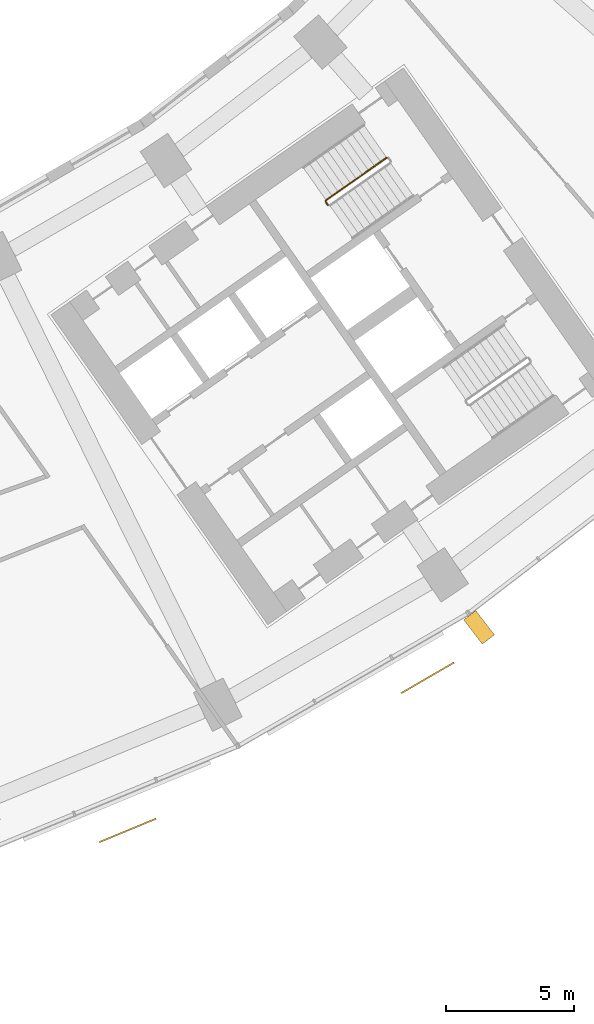
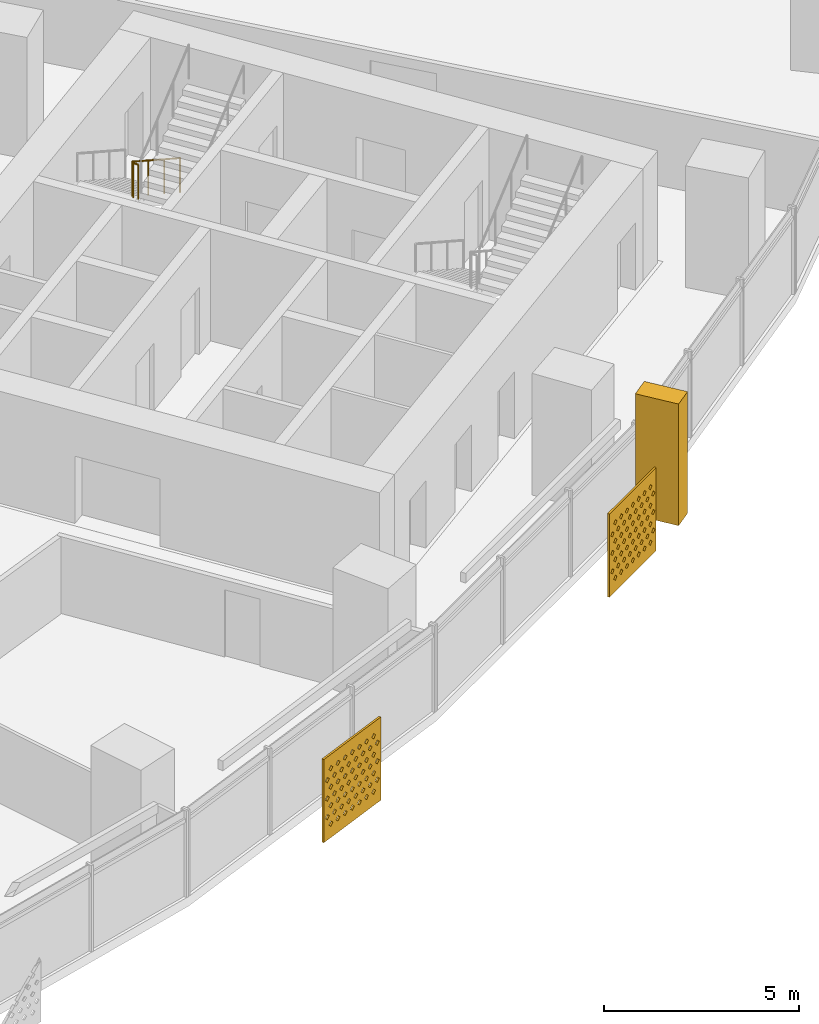
# One storey, part 30 of 31: 3 shading devices, 1 railing.
"""IFC4 building model written with IfcOpenShell, lengths in metres."""

import ifcopenshell
import ifcopenshell.guid

model = None  # the IFC model being written
_history = None  # IfcOwnerHistory: only IFC2X3 demands one
_inside = {}  # id of a spatial element -> (the spatial element, [elements in it])
_under = {}  # id of a project, library or spatial element -> (it, [spatial elements below it])
_declared = {}  # id of a project -> (the project, [libraries it declares])
_typed = {}  # id of a type object -> (the type object, [elements of that type])
_made_of = {}  # id of a material, layer set ... -> (it, [elements and type objects made of it])


def new_model(schema):
    """Start an empty IFC model of exactly this schema.

    Asked for "IFC4X3", IfcOpenShell would pick the latest addendum, in which some entities
    have other attributes; the version numbers below select the first issue.
    IFC2X3 requires an IfcOwnerHistory on every rooted entity: one is made here for all.
    """
    global model, _history
    if schema == "IFC4X3":
        model = ifcopenshell.file(schema_version=(4, 3, 0, 0))
    else:
        model = ifcopenshell.file(schema=schema)
    _inside.clear()
    _under.clear()
    _declared.clear()
    _typed.clear()
    _made_of.clear()
    _history = None
    if model.schema == "IFC2X3":
        org = make("IfcOrganization", Name="unknown")
        user = make(
            "IfcPersonAndOrganization",
            ThePerson=make("IfcPerson", FamilyName="unknown"),
            TheOrganization=org,
        )
        app = make(
            "IfcApplication",
            ApplicationDeveloper=org,
            Version="unknown",
            ApplicationFullName="unknown",
            ApplicationIdentifier="unknown",
        )
        _history = make(
            "IfcOwnerHistory",
            OwningUser=user,
            OwningApplication=app,
            ChangeAction="ADDED",
            CreationDate=0,
        )
    return model


def make(cls, **values):
    """One entity of the class cls with the attributes given. An attribute that is None is left unset."""
    return model.create_entity(
        cls, **{name: value for name, value in values.items() if value is not None}
    )


def rooted(cls, **values):
    """An entity with a GlobalId (a new one), such as an element, a storey or a relation."""
    return make(cls, GlobalId=ifcopenshell.guid.new(), OwnerHistory=_history, **values)


def si_unit(unit_type, name, prefix=None):
    """IfcSIUnit, for example si_unit("LENGTHUNIT", "METRE", prefix="MILLI")."""
    return make("IfcSIUnit", UnitType=unit_type, Prefix=prefix, Name=name)


def assignment(units):
    """IfcUnitAssignment: the units of a project."""
    return None if units is None else make("IfcUnitAssignment", Units=units)


def point(xyz):
    """IfcCartesianPoint."""
    return None if xyz is None else make("IfcCartesianPoint", Coordinates=xyz)


def direction(xyz):
    """IfcDirection."""
    return None if xyz is None else make("IfcDirection", DirectionRatios=xyz)


def frame(location, z_axis=None, x_axis=None):
    """IfcAxis2Placement3D, a coordinate frame: its origin and axes. An axis left out is left unset."""
    return make(
        "IfcAxis2Placement3D",
        Location=point(location),
        Axis=direction(z_axis),
        RefDirection=direction(x_axis),
    )


def frame_2d(location, x_axis=None):
    """IfcAxis2Placement2D, a coordinate frame in the plane: its origin and x axis."""
    return make(
        "IfcAxis2Placement2D", Location=point(location), RefDirection=direction(x_axis)
    )


def origin():
    """The frame at (0, 0, 0) with its axes left unset."""
    return frame((0.0, 0.0, 0.0))


def origin_2d():
    """The frame at (0, 0) in the plane with its x axis left unset."""
    return frame_2d((0.0, 0.0))


def place(relative_to, where):
    """IfcLocalPlacement: puts the frame where relative to a parent placement (None: the world)."""
    return make(
        "IfcLocalPlacement", PlacementRelTo=relative_to, RelativePlacement=where
    )


def context(
    kind, dimensions, precision=None, world=None, true_north=None, identifier=None
):
    """IfcGeometricRepresentationContext, for example the 3D "Model" context."""
    return make(
        "IfcGeometricRepresentationContext",
        ContextIdentifier=identifier,
        ContextType=kind,
        CoordinateSpaceDimension=dimensions,
        Precision=precision,
        WorldCoordinateSystem=world,
        TrueNorth=true_north,
    )


def subcontext(parent, identifier, kind, view, scale=None):
    """IfcGeometricRepresentationSubContext, for example "Body" below "Model"."""
    return make(
        "IfcGeometricRepresentationSubContext",
        ContextIdentifier=identifier,
        ContextType=kind,
        ParentContext=parent,
        TargetScale=scale,
        TargetView=view,
    )


def project(units=None, contexts=None):
    """IfcProject with its units and contexts."""
    return rooted(
        "IfcProject",
        Name="project",
        RepresentationContexts=contexts,
        UnitsInContext=assignment(units),
    )


def spatial(cls, under=None, at=None, **own):
    """A site, building, storey or space (cls), placed at a placement, below another one or the project."""
    s = rooted(cls, ObjectPlacement=at, **own)
    if under is not None:
        _under.setdefault(under.id(), (under, []))[1].append(s)
    return s


def polyline(points):
    """IfcPolyline through the points."""
    return make("IfcPolyline", Points=[point(p) for p in points])


def profile(cls, at=None, kind="AREA", **sizes):
    """A parametric profile (cls). Its sizes go by their IFC names, for example OverallWidth=200.0."""
    return make(cls, ProfileType=kind, Position=at, **sizes)


def circle(**sizes):
    """IfcCircleProfileDef."""
    return profile("IfcCircleProfileDef", **sizes)


def outline(outer, holes=None, kind="AREA"):
    """IfcArbitraryClosedProfileDef: a profile drawn as a closed curve; with holes, ...WithVoids."""
    if holes is None:
        return make("IfcArbitraryClosedProfileDef", ProfileType=kind, OuterCurve=outer)
    return make(
        "IfcArbitraryProfileDefWithVoids",
        ProfileType=kind,
        OuterCurve=outer,
        InnerCurves=holes,
    )


def extrude(swept, where, along, depth):
    """IfcExtrudedAreaSolid: the profile swept, set in the frame where, extruded along a direction by depth."""
    return make(
        "IfcExtrudedAreaSolid",
        SweptArea=swept,
        Position=where,
        ExtrudedDirection=direction(along),
        Depth=depth,
    )


def shape(context_of_items, identifier, shape_type, items):
    """IfcShapeRepresentation: the items that make up one representation, for example the "Body"."""
    return make(
        "IfcShapeRepresentation",
        ContextOfItems=context_of_items,
        RepresentationIdentifier=identifier,
        RepresentationType=shape_type,
        Items=items,
    )


def material(Name=None, Category=None):
    """IfcMaterial."""
    return make("IfcMaterial", Name=Name, Category=Category)


def material_profile(
    of_material, cross_section, Name=None, Category=None, Priority=None
):
    """IfcMaterialProfile: a cross section and its material."""
    return make(
        "IfcMaterialProfile",
        Name=Name,
        Material=of_material,
        Profile=cross_section,
        Priority=Priority,
        Category=Category,
    )


def profile_set(profiles, Name=None, composite=None):
    """IfcMaterialProfileSet."""
    return make(
        "IfcMaterialProfileSet",
        Name=Name,
        MaterialProfiles=profiles,
        CompositeProfile=composite,
    )


def made_of(thing, what):
    """Note that an element or type object is made of a material, layer set ...; save() writes the relation."""
    if what is not None:
        _made_of.setdefault(what.id(), (what, []))[1].append(thing)
    return thing


def type_object(cls, material=None, **own):
    """A type object (cls), such as IfcWallType, which elements share."""
    return made_of(rooted(cls, **own), material)


def element(
    cls,
    number,
    at=None,
    inside=None,
    cuts=None,
    type_object=None,
    material=None,
    context=None,
    identifier="Body",
    shape_type=None,
    held_by="IfcProductDefinitionShape",
    body=None,
    shapes=None,
    **own,
):
    """One element of the class cls, such as IfcWall. Its Tag is "e" and its number.

    at: its placement. inside: the storey or other place that contains it. cuts: it is an
    opening in that element (IfcRelVoidsElement). A single representation is given by context,
    identifier, shape_type and body (its items); several are given by shapes. held_by: the class
    of the entity that holds the representations. save() writes the other relations.
    """
    e = rooted(cls, Tag="e%d" % number, ObjectPlacement=at, **own)
    if body is not None:
        shapes = [shape(context, identifier, shape_type, body)]
    if shapes is not None:
        e.Representation = make(held_by, Representations=shapes)
    if inside is not None:
        _inside.setdefault(inside.id(), (inside, []))[1].append(e)
    if cuts is not None:
        rooted(
            "IfcRelVoidsElement", RelatingBuildingElement=cuts, RelatedOpeningElement=e
        )
    if type_object is not None:
        _typed.setdefault(type_object.id(), (type_object, []))[1].append(e)
    return made_of(e, material)


def aggregate(whole, parts):
    """IfcRelAggregates: a whole, such as a stair, and the parts it consists of."""
    return rooted("IfcRelAggregates", RelatingObject=whole, RelatedObjects=parts)


def save(model, path):
    """Write the relations noted so far, then the file.

    IfcRelAggregates (storeys below a building ...), IfcRelContainedInSpatialStructure (elements
    in a storey), IfcRelDefinesByType, IfcRelAssociatesMaterial and IfcRelDeclares: one each for
    every whole, place, type object, material and project.
    """
    for whole, parts in _under.values():
        aggregate(whole, parts)
    for where, things in _inside.values():
        rooted(
            "IfcRelContainedInSpatialStructure",
            RelatedElements=things,
            RelatingStructure=where,
        )
    for kind, things in _typed.values():
        rooted("IfcRelDefinesByType", RelatedObjects=things, RelatingType=kind)
    for what, things in _made_of.values():
        rooted("IfcRelAssociatesMaterial", RelatedObjects=things, RelatingMaterial=what)
    for by, libraries in _declared.values():
        rooted("IfcRelDeclares", RelatingContext=by, RelatedDefinitions=libraries)
    model.write(path)


model = new_model("IFC4")

# Units and contexts
model_context = context("Model", 3, precision=1e-05, world=origin(), true_north=direction((0.0, 1.0)))
body_context = subcontext(model_context, "Body", "Model", "MODEL_VIEW")
ifc_project = project(units=[si_unit("LENGTHUNIT", "METRE"), si_unit("AREAUNIT", "SQUARE_METRE"), si_unit("VOLUMEUNIT", "CUBIC_METRE"), si_unit("PLANEANGLEUNIT", "RADIAN"), si_unit("MASSUNIT", "GRAM", prefix="KILO")], contexts=[model_context])

# Site, building, storey
site_placement = place(None, origin())
site = spatial("IfcSite", under=ifc_project, at=site_placement, CompositionType="ELEMENT")
building_placement = place(site_placement, origin())
building = spatial("IfcBuilding", under=site, at=building_placement, Name="Qamariyya Broadcast Tower", CompositionType="ELEMENT")
storey_placement = place(building_placement, frame((0.0, 0.0, 59.5)))
storey = spatial("IfcBuildingStorey", under=building, at=storey_placement, Name="L11", CompositionType="ELEMENT", Elevation=59.5)

# Shading devices
ifc_material_1 = material(Name="Steel S355 powder coated deep red", Category="steel")
shading_device_type_1 = type_object("IfcShadingDeviceType", Name="Deep red frame, powder coated steel box section", PredefinedType="USERDEFINED", material=ifc_material_1)
shading_device_1_placement = place(storey_placement, origin())
element("IfcShadingDevice", 1, at=shading_device_1_placement, inside=storey, type_object=shading_device_type_1, Name="e-frm-B1-F5-posta-L11", ObjectType="FRAME", PredefinedType="USERDEFINED", context=body_context, shape_type="SweptSolid", body=[
    extrude(outline(polyline([(44.01318359375, -66.4091796875), (44.74365234375, -67.361328125), (45.2197265625, -66.995849609375), (44.4892578125, -66.0439453125), (44.01318359375, -66.4091796875)])), origin(), (0.0, 0.0, 1.0), 3.800048828125),
])
ifc_material_2 = material(Name="Perforated glazed terracotta", Category="masonry")
ifc_material_profile = material_profile(ifc_material_2, outline(polyline([(-1.199951171875, -1.300048828125), (1.199951171875, -1.300048828125), (1.199951171875, 1.300048828125), (-1.199951171875, 1.300048828125), (-1.199951171875, -1.300048828125)]), holes=[polyline([(-0.81494140625, -0.86669921875), (-0.89990234375, -0.78173828125), (-0.985107421875, -0.86669921875), (-0.89990234375, -0.95166015625), (-0.81494140625, -0.86669921875)]), polyline([(-0.514892578125, -0.86669921875), (-0.60009765625, -0.78173828125), (-0.68505859375, -0.86669921875), (-0.60009765625, -0.95166015625), (-0.514892578125, -0.86669921875)]), polyline([(-0.215087890625, -0.86669921875), (-0.300048828125, -0.78173828125), (-0.385009765625, -0.86669921875), (-0.300048828125, -0.95166015625), (-0.215087890625, -0.86669921875)]), polyline([(0.0849609375, -0.86669921875), (0.0, -0.78173828125), (-0.0849609375, -0.86669921875), (0.0, -0.95166015625), (0.0849609375, -0.86669921875)]), polyline([(0.385009765625, -0.86669921875), (0.300048828125, -0.78173828125), (0.215087890625, -0.86669921875), (0.300048828125, -0.95166015625), (0.385009765625, -0.86669921875)]), polyline([(0.68505859375, -0.86669921875), (0.60009765625, -0.78173828125), (0.514892578125, -0.86669921875), (0.60009765625, -0.95166015625), (0.68505859375, -0.86669921875)]), polyline([(0.985107421875, -0.86669921875), (0.89990234375, -0.78173828125), (0.81494140625, -0.86669921875), (0.89990234375, -0.95166015625), (0.985107421875, -0.86669921875)]), polyline([(-0.965087890625, -0.577880859375), (-1.050048828125, -0.49267578125), (-1.135009765625, -0.577880859375), (-1.050048828125, -0.662841796875), (-0.965087890625, -0.577880859375)]), polyline([(-0.6650390625, -0.577880859375), (-0.75, -0.49267578125), (-0.8349609375, -0.577880859375), (-0.75, -0.662841796875), (-0.6650390625, -0.577880859375)]), polyline([(-0.364990234375, -0.577880859375), (-0.449951171875, -0.49267578125), (-0.534912109375, -0.577880859375), (-0.449951171875, -0.662841796875), (-0.364990234375, -0.577880859375)]), polyline([(-0.06494140625, -0.577880859375), (-0.14990234375, -0.49267578125), (-0.235107421875, -0.577880859375), (-0.14990234375, -0.662841796875), (-0.06494140625, -0.577880859375)]), polyline([(0.235107421875, -0.577880859375), (0.14990234375, -0.49267578125), (0.06494140625, -0.577880859375), (0.14990234375, -0.662841796875), (0.235107421875, -0.577880859375)]), polyline([(0.534912109375, -0.577880859375), (0.449951171875, -0.49267578125), (0.364990234375, -0.577880859375), (0.449951171875, -0.662841796875), (0.534912109375, -0.577880859375)]), polyline([(0.8349609375, -0.577880859375), (0.75, -0.49267578125), (0.6650390625, -0.577880859375), (0.75, -0.662841796875), (0.8349609375, -0.577880859375)]), polyline([(1.135009765625, -0.577880859375), (1.050048828125, -0.49267578125), (0.965087890625, -0.577880859375), (1.050048828125, -0.662841796875), (1.135009765625, -0.577880859375)]), polyline([(-0.81494140625, -0.288818359375), (-0.89990234375, -0.203857421875), (-0.985107421875, -0.288818359375), (-0.89990234375, -0.373779296875), (-0.81494140625, -0.288818359375)]), polyline([(-0.514892578125, -0.288818359375), (-0.60009765625, -0.203857421875), (-0.68505859375, -0.288818359375), (-0.60009765625, -0.373779296875), (-0.514892578125, -0.288818359375)]), polyline([(-0.215087890625, -0.288818359375), (-0.300048828125, -0.203857421875), (-0.385009765625, -0.288818359375), (-0.300048828125, -0.373779296875), (-0.215087890625, -0.288818359375)]), polyline([(0.0849609375, -0.288818359375), (0.0, -0.203857421875), (-0.0849609375, -0.288818359375), (0.0, -0.373779296875), (0.0849609375, -0.288818359375)]), polyline([(0.385009765625, -0.288818359375), (0.300048828125, -0.203857421875), (0.215087890625, -0.288818359375), (0.300048828125, -0.373779296875), (0.385009765625, -0.288818359375)]), polyline([(0.68505859375, -0.288818359375), (0.60009765625, -0.203857421875), (0.514892578125, -0.288818359375), (0.60009765625, -0.373779296875), (0.68505859375, -0.288818359375)]), polyline([(0.985107421875, -0.288818359375), (0.89990234375, -0.203857421875), (0.81494140625, -0.288818359375), (0.89990234375, -0.373779296875), (0.985107421875, -0.288818359375)]), polyline([(-0.965087890625, 0.0), (-1.050048828125, 0.0849609375), (-1.135009765625, 0.0), (-1.050048828125, -0.0849609375), (-0.965087890625, 0.0)]), polyline([(-0.6650390625, 0.0), (-0.75, 0.0849609375), (-0.8349609375, 0.0), (-0.75, -0.0849609375), (-0.6650390625, 0.0)]), polyline([(-0.364990234375, 0.0), (-0.449951171875, 0.0849609375), (-0.534912109375, 0.0), (-0.449951171875, -0.0849609375), (-0.364990234375, 0.0)]), polyline([(-0.06494140625, 0.0), (-0.14990234375, 0.0849609375), (-0.235107421875, 0.0), (-0.14990234375, -0.0849609375), (-0.06494140625, 0.0)]), polyline([(0.235107421875, 0.0), (0.14990234375, 0.0849609375), (0.06494140625, 0.0), (0.14990234375, -0.0849609375), (0.235107421875, 0.0)]), polyline([(0.534912109375, 0.0), (0.449951171875, 0.0849609375), (0.364990234375, 0.0), (0.449951171875, -0.0849609375), (0.534912109375, 0.0)]), polyline([(0.8349609375, 0.0), (0.75, 0.0849609375), (0.6650390625, 0.0), (0.75, -0.0849609375), (0.8349609375, 0.0)]), polyline([(1.135009765625, 0.0), (1.050048828125, 0.0849609375), (0.965087890625, 0.0), (1.050048828125, -0.0849609375), (1.135009765625, 0.0)]), polyline([(-0.81494140625, 0.288818359375), (-0.89990234375, 0.373779296875), (-0.985107421875, 0.288818359375), (-0.89990234375, 0.203857421875), (-0.81494140625, 0.288818359375)]), polyline([(-0.514892578125, 0.288818359375), (-0.60009765625, 0.373779296875), (-0.68505859375, 0.288818359375), (-0.60009765625, 0.203857421875), (-0.514892578125, 0.288818359375)]), polyline([(-0.215087890625, 0.288818359375), (-0.300048828125, 0.373779296875), (-0.385009765625, 0.288818359375), (-0.300048828125, 0.203857421875), (-0.215087890625, 0.288818359375)]), polyline([(0.0849609375, 0.288818359375), (0.0, 0.373779296875), (-0.0849609375, 0.288818359375), (0.0, 0.203857421875), (0.0849609375, 0.288818359375)]), polyline([(0.385009765625, 0.288818359375), (0.300048828125, 0.373779296875), (0.215087890625, 0.288818359375), (0.300048828125, 0.203857421875), (0.385009765625, 0.288818359375)]), polyline([(0.68505859375, 0.288818359375), (0.60009765625, 0.373779296875), (0.514892578125, 0.288818359375), (0.60009765625, 0.203857421875), (0.68505859375, 0.288818359375)]), polyline([(0.985107421875, 0.288818359375), (0.89990234375, 0.373779296875), (0.81494140625, 0.288818359375), (0.89990234375, 0.203857421875), (0.985107421875, 0.288818359375)]), polyline([(-0.965087890625, 0.577880859375), (-1.050048828125, 0.662841796875), (-1.135009765625, 0.577880859375), (-1.050048828125, 0.49267578125), (-0.965087890625, 0.577880859375)]), polyline([(-0.6650390625, 0.577880859375), (-0.75, 0.662841796875), (-0.8349609375, 0.577880859375), (-0.75, 0.49267578125), (-0.6650390625, 0.577880859375)]), polyline([(-0.364990234375, 0.577880859375), (-0.449951171875, 0.662841796875), (-0.534912109375, 0.577880859375), (-0.449951171875, 0.49267578125), (-0.364990234375, 0.577880859375)]), polyline([(-0.06494140625, 0.577880859375), (-0.14990234375, 0.662841796875), (-0.235107421875, 0.577880859375), (-0.14990234375, 0.49267578125), (-0.06494140625, 0.577880859375)]), polyline([(0.235107421875, 0.577880859375), (0.14990234375, 0.662841796875), (0.06494140625, 0.577880859375), (0.14990234375, 0.49267578125), (0.235107421875, 0.577880859375)]), polyline([(0.534912109375, 0.577880859375), (0.449951171875, 0.662841796875), (0.364990234375, 0.577880859375), (0.449951171875, 0.49267578125), (0.534912109375, 0.577880859375)]), polyline([(0.8349609375, 0.577880859375), (0.75, 0.662841796875), (0.6650390625, 0.577880859375), (0.75, 0.49267578125), (0.8349609375, 0.577880859375)]), polyline([(1.135009765625, 0.577880859375), (1.050048828125, 0.662841796875), (0.965087890625, 0.577880859375), (1.050048828125, 0.49267578125), (1.135009765625, 0.577880859375)]), polyline([(-0.81494140625, 0.86669921875), (-0.89990234375, 0.95166015625), (-0.985107421875, 0.86669921875), (-0.89990234375, 0.78173828125), (-0.81494140625, 0.86669921875)]), polyline([(-0.514892578125, 0.86669921875), (-0.60009765625, 0.95166015625), (-0.68505859375, 0.86669921875), (-0.60009765625, 0.78173828125), (-0.514892578125, 0.86669921875)]), polyline([(-0.215087890625, 0.86669921875), (-0.300048828125, 0.95166015625), (-0.385009765625, 0.86669921875), (-0.300048828125, 0.78173828125), (-0.215087890625, 0.86669921875)]), polyline([(0.0849609375, 0.86669921875), (0.0, 0.95166015625), (-0.0849609375, 0.86669921875), (0.0, 0.78173828125), (0.0849609375, 0.86669921875)]), polyline([(0.385009765625, 0.86669921875), (0.300048828125, 0.95166015625), (0.215087890625, 0.86669921875), (0.300048828125, 0.78173828125), (0.385009765625, 0.86669921875)]), polyline([(0.68505859375, 0.86669921875), (0.60009765625, 0.95166015625), (0.514892578125, 0.86669921875), (0.60009765625, 0.78173828125), (0.68505859375, 0.86669921875)]), polyline([(0.985107421875, 0.86669921875), (0.89990234375, 0.95166015625), (0.81494140625, 0.86669921875), (0.89990234375, 0.78173828125), (0.985107421875, 0.86669921875)])]))
ifc_profile_set = profile_set([ifc_material_profile], Name="Perforated glazed terracotta")
shading_device_type_2 = type_object("IfcShadingDeviceType", Name="Perforated terracotta screen 2400 x 2600", PredefinedType="USERDEFINED", material=ifc_profile_set)
shading_device_2_placement = place(storey_placement, frame((30.85302734375, -74.622802734375, 1.35009765625), z_axis=(0.382591441855, -0.923917630863, 0.0), x_axis=(0.923917630863, 0.382591441855, 0.0)))
element("IfcShadingDevice", 2, at=shading_device_2_placement, inside=storey, type_object=shading_device_type_2, Name="e-scr-L11-11-1", ObjectType="SCREEN", PredefinedType="USERDEFINED", context=body_context, shape_type="SweptSolid", body=[
    extrude(outline(polyline([(-1.199951171875, -1.300048828125), (1.199951171875, -1.300048828125), (1.199951171875, 1.300048828125), (-1.199951171875, 1.300048828125), (-1.199951171875, -1.300048828125)]), holes=[polyline([(-0.81494140625, -0.86669921875), (-0.89990234375, -0.78173828125), (-0.985107421875, -0.86669921875), (-0.89990234375, -0.95166015625), (-0.81494140625, -0.86669921875)]), polyline([(-0.514892578125, -0.86669921875), (-0.60009765625, -0.78173828125), (-0.68505859375, -0.86669921875), (-0.60009765625, -0.95166015625), (-0.514892578125, -0.86669921875)]), polyline([(-0.215087890625, -0.86669921875), (-0.300048828125, -0.78173828125), (-0.385009765625, -0.86669921875), (-0.300048828125, -0.95166015625), (-0.215087890625, -0.86669921875)]), polyline([(0.0849609375, -0.86669921875), (0.0, -0.78173828125), (-0.0849609375, -0.86669921875), (0.0, -0.95166015625), (0.0849609375, -0.86669921875)]), polyline([(0.385009765625, -0.86669921875), (0.300048828125, -0.78173828125), (0.215087890625, -0.86669921875), (0.300048828125, -0.95166015625), (0.385009765625, -0.86669921875)]), polyline([(0.68505859375, -0.86669921875), (0.60009765625, -0.78173828125), (0.514892578125, -0.86669921875), (0.60009765625, -0.95166015625), (0.68505859375, -0.86669921875)]), polyline([(0.985107421875, -0.86669921875), (0.89990234375, -0.78173828125), (0.81494140625, -0.86669921875), (0.89990234375, -0.95166015625), (0.985107421875, -0.86669921875)]), polyline([(-0.965087890625, -0.577880859375), (-1.050048828125, -0.49267578125), (-1.135009765625, -0.577880859375), (-1.050048828125, -0.662841796875), (-0.965087890625, -0.577880859375)]), polyline([(-0.6650390625, -0.577880859375), (-0.75, -0.49267578125), (-0.8349609375, -0.577880859375), (-0.75, -0.662841796875), (-0.6650390625, -0.577880859375)]), polyline([(-0.364990234375, -0.577880859375), (-0.449951171875, -0.49267578125), (-0.534912109375, -0.577880859375), (-0.449951171875, -0.662841796875), (-0.364990234375, -0.577880859375)]), polyline([(-0.06494140625, -0.577880859375), (-0.14990234375, -0.49267578125), (-0.235107421875, -0.577880859375), (-0.14990234375, -0.662841796875), (-0.06494140625, -0.577880859375)]), polyline([(0.235107421875, -0.577880859375), (0.14990234375, -0.49267578125), (0.06494140625, -0.577880859375), (0.14990234375, -0.662841796875), (0.235107421875, -0.577880859375)]), polyline([(0.534912109375, -0.577880859375), (0.449951171875, -0.49267578125), (0.364990234375, -0.577880859375), (0.449951171875, -0.662841796875), (0.534912109375, -0.577880859375)]), polyline([(0.8349609375, -0.577880859375), (0.75, -0.49267578125), (0.6650390625, -0.577880859375), (0.75, -0.662841796875), (0.8349609375, -0.577880859375)]), polyline([(1.135009765625, -0.577880859375), (1.050048828125, -0.49267578125), (0.965087890625, -0.577880859375), (1.050048828125, -0.662841796875), (1.135009765625, -0.577880859375)]), polyline([(-0.81494140625, -0.288818359375), (-0.89990234375, -0.203857421875), (-0.985107421875, -0.288818359375), (-0.89990234375, -0.373779296875), (-0.81494140625, -0.288818359375)]), polyline([(-0.514892578125, -0.288818359375), (-0.60009765625, -0.203857421875), (-0.68505859375, -0.288818359375), (-0.60009765625, -0.373779296875), (-0.514892578125, -0.288818359375)]), polyline([(-0.215087890625, -0.288818359375), (-0.300048828125, -0.203857421875), (-0.385009765625, -0.288818359375), (-0.300048828125, -0.373779296875), (-0.215087890625, -0.288818359375)]), polyline([(0.0849609375, -0.288818359375), (0.0, -0.203857421875), (-0.0849609375, -0.288818359375), (0.0, -0.373779296875), (0.0849609375, -0.288818359375)]), polyline([(0.385009765625, -0.288818359375), (0.300048828125, -0.203857421875), (0.215087890625, -0.288818359375), (0.300048828125, -0.373779296875), (0.385009765625, -0.288818359375)]), polyline([(0.68505859375, -0.288818359375), (0.60009765625, -0.203857421875), (0.514892578125, -0.288818359375), (0.60009765625, -0.373779296875), (0.68505859375, -0.288818359375)]), polyline([(0.985107421875, -0.288818359375), (0.89990234375, -0.203857421875), (0.81494140625, -0.288818359375), (0.89990234375, -0.373779296875), (0.985107421875, -0.288818359375)]), polyline([(-0.965087890625, 0.0), (-1.050048828125, 0.0849609375), (-1.135009765625, 0.0), (-1.050048828125, -0.0849609375), (-0.965087890625, 0.0)]), polyline([(-0.6650390625, 0.0), (-0.75, 0.0849609375), (-0.8349609375, 0.0), (-0.75, -0.0849609375), (-0.6650390625, 0.0)]), polyline([(-0.364990234375, 0.0), (-0.449951171875, 0.0849609375), (-0.534912109375, 0.0), (-0.449951171875, -0.0849609375), (-0.364990234375, 0.0)]), polyline([(-0.06494140625, 0.0), (-0.14990234375, 0.0849609375), (-0.235107421875, 0.0), (-0.14990234375, -0.0849609375), (-0.06494140625, 0.0)]), polyline([(0.235107421875, 0.0), (0.14990234375, 0.0849609375), (0.06494140625, 0.0), (0.14990234375, -0.0849609375), (0.235107421875, 0.0)]), polyline([(0.534912109375, 0.0), (0.449951171875, 0.0849609375), (0.364990234375, 0.0), (0.449951171875, -0.0849609375), (0.534912109375, 0.0)]), polyline([(0.8349609375, 0.0), (0.75, 0.0849609375), (0.6650390625, 0.0), (0.75, -0.0849609375), (0.8349609375, 0.0)]), polyline([(1.135009765625, 0.0), (1.050048828125, 0.0849609375), (0.965087890625, 0.0), (1.050048828125, -0.0849609375), (1.135009765625, 0.0)]), polyline([(-0.81494140625, 0.288818359375), (-0.89990234375, 0.373779296875), (-0.985107421875, 0.288818359375), (-0.89990234375, 0.203857421875), (-0.81494140625, 0.288818359375)]), polyline([(-0.514892578125, 0.288818359375), (-0.60009765625, 0.373779296875), (-0.68505859375, 0.288818359375), (-0.60009765625, 0.203857421875), (-0.514892578125, 0.288818359375)]), polyline([(-0.215087890625, 0.288818359375), (-0.300048828125, 0.373779296875), (-0.385009765625, 0.288818359375), (-0.300048828125, 0.203857421875), (-0.215087890625, 0.288818359375)]), polyline([(0.0849609375, 0.288818359375), (0.0, 0.373779296875), (-0.0849609375, 0.288818359375), (0.0, 0.203857421875), (0.0849609375, 0.288818359375)]), polyline([(0.385009765625, 0.288818359375), (0.300048828125, 0.373779296875), (0.215087890625, 0.288818359375), (0.300048828125, 0.203857421875), (0.385009765625, 0.288818359375)]), polyline([(0.68505859375, 0.288818359375), (0.60009765625, 0.373779296875), (0.514892578125, 0.288818359375), (0.60009765625, 0.203857421875), (0.68505859375, 0.288818359375)]), polyline([(0.985107421875, 0.288818359375), (0.89990234375, 0.373779296875), (0.81494140625, 0.288818359375), (0.89990234375, 0.203857421875), (0.985107421875, 0.288818359375)]), polyline([(-0.965087890625, 0.577880859375), (-1.050048828125, 0.662841796875), (-1.135009765625, 0.577880859375), (-1.050048828125, 0.49267578125), (-0.965087890625, 0.577880859375)]), polyline([(-0.6650390625, 0.577880859375), (-0.75, 0.662841796875), (-0.8349609375, 0.577880859375), (-0.75, 0.49267578125), (-0.6650390625, 0.577880859375)]), polyline([(-0.364990234375, 0.577880859375), (-0.449951171875, 0.662841796875), (-0.534912109375, 0.577880859375), (-0.449951171875, 0.49267578125), (-0.364990234375, 0.577880859375)]), polyline([(-0.06494140625, 0.577880859375), (-0.14990234375, 0.662841796875), (-0.235107421875, 0.577880859375), (-0.14990234375, 0.49267578125), (-0.06494140625, 0.577880859375)]), polyline([(0.235107421875, 0.577880859375), (0.14990234375, 0.662841796875), (0.06494140625, 0.577880859375), (0.14990234375, 0.49267578125), (0.235107421875, 0.577880859375)]), polyline([(0.534912109375, 0.577880859375), (0.449951171875, 0.662841796875), (0.364990234375, 0.577880859375), (0.449951171875, 0.49267578125), (0.534912109375, 0.577880859375)]), polyline([(0.8349609375, 0.577880859375), (0.75, 0.662841796875), (0.6650390625, 0.577880859375), (0.75, 0.49267578125), (0.8349609375, 0.577880859375)]), polyline([(1.135009765625, 0.577880859375), (1.050048828125, 0.662841796875), (0.965087890625, 0.577880859375), (1.050048828125, 0.49267578125), (1.135009765625, 0.577880859375)]), polyline([(-0.81494140625, 0.86669921875), (-0.89990234375, 0.95166015625), (-0.985107421875, 0.86669921875), (-0.89990234375, 0.78173828125), (-0.81494140625, 0.86669921875)]), polyline([(-0.514892578125, 0.86669921875), (-0.60009765625, 0.95166015625), (-0.68505859375, 0.86669921875), (-0.60009765625, 0.78173828125), (-0.514892578125, 0.86669921875)]), polyline([(-0.215087890625, 0.86669921875), (-0.300048828125, 0.95166015625), (-0.385009765625, 0.86669921875), (-0.300048828125, 0.78173828125), (-0.215087890625, 0.86669921875)]), polyline([(0.0849609375, 0.86669921875), (0.0, 0.95166015625), (-0.0849609375, 0.86669921875), (0.0, 0.78173828125), (0.0849609375, 0.86669921875)]), polyline([(0.385009765625, 0.86669921875), (0.300048828125, 0.95166015625), (0.215087890625, 0.86669921875), (0.300048828125, 0.78173828125), (0.385009765625, 0.86669921875)]), polyline([(0.68505859375, 0.86669921875), (0.60009765625, 0.95166015625), (0.514892578125, 0.86669921875), (0.60009765625, 0.78173828125), (0.68505859375, 0.86669921875)]), polyline([(0.985107421875, 0.86669921875), (0.89990234375, 0.95166015625), (0.81494140625, 0.86669921875), (0.89990234375, 0.78173828125), (0.985107421875, 0.86669921875)])]), origin(), (0.0, 0.0, 1.0), 0.06005859375),
])
shading_device_3_placement = place(storey_placement, frame((42.585205078125, -68.655029296875, 1.35009765625), z_axis=(0.501840203948, -0.86496035152, 0.0), x_axis=(0.86496035152, 0.501840203948, 0.0)))
element("IfcShadingDevice", 3, at=shading_device_3_placement, inside=storey, type_object=shading_device_type_2, Name="e-scr-L11-12-2", ObjectType="SCREEN", PredefinedType="USERDEFINED", context=body_context, shape_type="SweptSolid", body=[
    extrude(outline(polyline([(-1.199951171875, -1.300048828125), (1.199951171875, -1.300048828125), (1.199951171875, 1.300048828125), (-1.199951171875, 1.300048828125), (-1.199951171875, -1.300048828125)]), holes=[polyline([(-0.81494140625, -0.86669921875), (-0.89990234375, -0.78173828125), (-0.985107421875, -0.86669921875), (-0.89990234375, -0.95166015625), (-0.81494140625, -0.86669921875)]), polyline([(-0.514892578125, -0.86669921875), (-0.60009765625, -0.78173828125), (-0.68505859375, -0.86669921875), (-0.60009765625, -0.95166015625), (-0.514892578125, -0.86669921875)]), polyline([(-0.215087890625, -0.86669921875), (-0.300048828125, -0.78173828125), (-0.385009765625, -0.86669921875), (-0.300048828125, -0.95166015625), (-0.215087890625, -0.86669921875)]), polyline([(0.0849609375, -0.86669921875), (0.0, -0.78173828125), (-0.0849609375, -0.86669921875), (0.0, -0.95166015625), (0.0849609375, -0.86669921875)]), polyline([(0.385009765625, -0.86669921875), (0.300048828125, -0.78173828125), (0.215087890625, -0.86669921875), (0.300048828125, -0.95166015625), (0.385009765625, -0.86669921875)]), polyline([(0.68505859375, -0.86669921875), (0.60009765625, -0.78173828125), (0.514892578125, -0.86669921875), (0.60009765625, -0.95166015625), (0.68505859375, -0.86669921875)]), polyline([(0.985107421875, -0.86669921875), (0.89990234375, -0.78173828125), (0.81494140625, -0.86669921875), (0.89990234375, -0.95166015625), (0.985107421875, -0.86669921875)]), polyline([(-0.965087890625, -0.577880859375), (-1.050048828125, -0.49267578125), (-1.135009765625, -0.577880859375), (-1.050048828125, -0.662841796875), (-0.965087890625, -0.577880859375)]), polyline([(-0.6650390625, -0.577880859375), (-0.75, -0.49267578125), (-0.8349609375, -0.577880859375), (-0.75, -0.662841796875), (-0.6650390625, -0.577880859375)]), polyline([(-0.364990234375, -0.577880859375), (-0.449951171875, -0.49267578125), (-0.534912109375, -0.577880859375), (-0.449951171875, -0.662841796875), (-0.364990234375, -0.577880859375)]), polyline([(-0.06494140625, -0.577880859375), (-0.14990234375, -0.49267578125), (-0.235107421875, -0.577880859375), (-0.14990234375, -0.662841796875), (-0.06494140625, -0.577880859375)]), polyline([(0.235107421875, -0.577880859375), (0.14990234375, -0.49267578125), (0.06494140625, -0.577880859375), (0.14990234375, -0.662841796875), (0.235107421875, -0.577880859375)]), polyline([(0.534912109375, -0.577880859375), (0.449951171875, -0.49267578125), (0.364990234375, -0.577880859375), (0.449951171875, -0.662841796875), (0.534912109375, -0.577880859375)]), polyline([(0.8349609375, -0.577880859375), (0.75, -0.49267578125), (0.6650390625, -0.577880859375), (0.75, -0.662841796875), (0.8349609375, -0.577880859375)]), polyline([(1.135009765625, -0.577880859375), (1.050048828125, -0.49267578125), (0.965087890625, -0.577880859375), (1.050048828125, -0.662841796875), (1.135009765625, -0.577880859375)]), polyline([(-0.81494140625, -0.288818359375), (-0.89990234375, -0.203857421875), (-0.985107421875, -0.288818359375), (-0.89990234375, -0.373779296875), (-0.81494140625, -0.288818359375)]), polyline([(-0.514892578125, -0.288818359375), (-0.60009765625, -0.203857421875), (-0.68505859375, -0.288818359375), (-0.60009765625, -0.373779296875), (-0.514892578125, -0.288818359375)]), polyline([(-0.215087890625, -0.288818359375), (-0.300048828125, -0.203857421875), (-0.385009765625, -0.288818359375), (-0.300048828125, -0.373779296875), (-0.215087890625, -0.288818359375)]), polyline([(0.0849609375, -0.288818359375), (0.0, -0.203857421875), (-0.0849609375, -0.288818359375), (0.0, -0.373779296875), (0.0849609375, -0.288818359375)]), polyline([(0.385009765625, -0.288818359375), (0.300048828125, -0.203857421875), (0.215087890625, -0.288818359375), (0.300048828125, -0.373779296875), (0.385009765625, -0.288818359375)]), polyline([(0.68505859375, -0.288818359375), (0.60009765625, -0.203857421875), (0.514892578125, -0.288818359375), (0.60009765625, -0.373779296875), (0.68505859375, -0.288818359375)]), polyline([(0.985107421875, -0.288818359375), (0.89990234375, -0.203857421875), (0.81494140625, -0.288818359375), (0.89990234375, -0.373779296875), (0.985107421875, -0.288818359375)]), polyline([(-0.965087890625, 0.0), (-1.050048828125, 0.0849609375), (-1.135009765625, 0.0), (-1.050048828125, -0.0849609375), (-0.965087890625, 0.0)]), polyline([(-0.6650390625, 0.0), (-0.75, 0.0849609375), (-0.8349609375, 0.0), (-0.75, -0.0849609375), (-0.6650390625, 0.0)]), polyline([(-0.364990234375, 0.0), (-0.449951171875, 0.0849609375), (-0.534912109375, 0.0), (-0.449951171875, -0.0849609375), (-0.364990234375, 0.0)]), polyline([(-0.06494140625, 0.0), (-0.14990234375, 0.0849609375), (-0.235107421875, 0.0), (-0.14990234375, -0.0849609375), (-0.06494140625, 0.0)]), polyline([(0.235107421875, 0.0), (0.14990234375, 0.0849609375), (0.06494140625, 0.0), (0.14990234375, -0.0849609375), (0.235107421875, 0.0)]), polyline([(0.534912109375, 0.0), (0.449951171875, 0.0849609375), (0.364990234375, 0.0), (0.449951171875, -0.0849609375), (0.534912109375, 0.0)]), polyline([(0.8349609375, 0.0), (0.75, 0.0849609375), (0.6650390625, 0.0), (0.75, -0.0849609375), (0.8349609375, 0.0)]), polyline([(1.135009765625, 0.0), (1.050048828125, 0.0849609375), (0.965087890625, 0.0), (1.050048828125, -0.0849609375), (1.135009765625, 0.0)]), polyline([(-0.81494140625, 0.288818359375), (-0.89990234375, 0.373779296875), (-0.985107421875, 0.288818359375), (-0.89990234375, 0.203857421875), (-0.81494140625, 0.288818359375)]), polyline([(-0.514892578125, 0.288818359375), (-0.60009765625, 0.373779296875), (-0.68505859375, 0.288818359375), (-0.60009765625, 0.203857421875), (-0.514892578125, 0.288818359375)]), polyline([(-0.215087890625, 0.288818359375), (-0.300048828125, 0.373779296875), (-0.385009765625, 0.288818359375), (-0.300048828125, 0.203857421875), (-0.215087890625, 0.288818359375)]), polyline([(0.0849609375, 0.288818359375), (0.0, 0.373779296875), (-0.0849609375, 0.288818359375), (0.0, 0.203857421875), (0.0849609375, 0.288818359375)]), polyline([(0.385009765625, 0.288818359375), (0.300048828125, 0.373779296875), (0.215087890625, 0.288818359375), (0.300048828125, 0.203857421875), (0.385009765625, 0.288818359375)]), polyline([(0.68505859375, 0.288818359375), (0.60009765625, 0.373779296875), (0.514892578125, 0.288818359375), (0.60009765625, 0.203857421875), (0.68505859375, 0.288818359375)]), polyline([(0.985107421875, 0.288818359375), (0.89990234375, 0.373779296875), (0.81494140625, 0.288818359375), (0.89990234375, 0.203857421875), (0.985107421875, 0.288818359375)]), polyline([(-0.965087890625, 0.577880859375), (-1.050048828125, 0.662841796875), (-1.135009765625, 0.577880859375), (-1.050048828125, 0.49267578125), (-0.965087890625, 0.577880859375)]), polyline([(-0.6650390625, 0.577880859375), (-0.75, 0.662841796875), (-0.8349609375, 0.577880859375), (-0.75, 0.49267578125), (-0.6650390625, 0.577880859375)]), polyline([(-0.364990234375, 0.577880859375), (-0.449951171875, 0.662841796875), (-0.534912109375, 0.577880859375), (-0.449951171875, 0.49267578125), (-0.364990234375, 0.577880859375)]), polyline([(-0.06494140625, 0.577880859375), (-0.14990234375, 0.662841796875), (-0.235107421875, 0.577880859375), (-0.14990234375, 0.49267578125), (-0.06494140625, 0.577880859375)]), polyline([(0.235107421875, 0.577880859375), (0.14990234375, 0.662841796875), (0.06494140625, 0.577880859375), (0.14990234375, 0.49267578125), (0.235107421875, 0.577880859375)]), polyline([(0.534912109375, 0.577880859375), (0.449951171875, 0.662841796875), (0.364990234375, 0.577880859375), (0.449951171875, 0.49267578125), (0.534912109375, 0.577880859375)]), polyline([(0.8349609375, 0.577880859375), (0.75, 0.662841796875), (0.6650390625, 0.577880859375), (0.75, 0.49267578125), (0.8349609375, 0.577880859375)]), polyline([(1.135009765625, 0.577880859375), (1.050048828125, 0.662841796875), (0.965087890625, 0.577880859375), (1.050048828125, 0.49267578125), (1.135009765625, 0.577880859375)]), polyline([(-0.81494140625, 0.86669921875), (-0.89990234375, 0.95166015625), (-0.985107421875, 0.86669921875), (-0.89990234375, 0.78173828125), (-0.81494140625, 0.86669921875)]), polyline([(-0.514892578125, 0.86669921875), (-0.60009765625, 0.95166015625), (-0.68505859375, 0.86669921875), (-0.60009765625, 0.78173828125), (-0.514892578125, 0.86669921875)]), polyline([(-0.215087890625, 0.86669921875), (-0.300048828125, 0.95166015625), (-0.385009765625, 0.86669921875), (-0.300048828125, 0.78173828125), (-0.215087890625, 0.86669921875)]), polyline([(0.0849609375, 0.86669921875), (0.0, 0.95166015625), (-0.0849609375, 0.86669921875), (0.0, 0.78173828125), (0.0849609375, 0.86669921875)]), polyline([(0.385009765625, 0.86669921875), (0.300048828125, 0.95166015625), (0.215087890625, 0.86669921875), (0.300048828125, 0.78173828125), (0.385009765625, 0.86669921875)]), polyline([(0.68505859375, 0.86669921875), (0.60009765625, 0.95166015625), (0.514892578125, 0.86669921875), (0.60009765625, 0.78173828125), (0.68505859375, 0.86669921875)]), polyline([(0.985107421875, 0.86669921875), (0.89990234375, 0.95166015625), (0.81494140625, 0.86669921875), (0.89990234375, 0.78173828125), (0.985107421875, 0.86669921875)])]), origin(), (0.0, 0.0, 1.0), 0.059814453125),
])

# Railing
ifc_material_3 = material(Name="Painted steel", Category="steel")
railing_type = type_object("IfcRailingType", Name="Stair guard", PredefinedType="GUARDRAIL", material=ifc_material_3)
railing_placement = place(storey_placement, frame((41.003173828125, -48.320068359375, 0.172607421875)))
element("IfcRailing", 4, at=railing_placement, inside=storey, type_object=railing_type, Name="L11 ST-E2 stair guard 1", PredefinedType="GUARDRAIL", context=body_context, shape_type="SweptSolid", body=[
    extrude(circle(Radius=0.02392578125, at=origin_2d()), frame((0.0, 0.0, 1.076171875), z_axis=(-0.703770094002, -0.492783725636, 0.511734163933), x_axis=(0.573575343427, -0.819152809562, 0.0)), (0.0, 0.0, 1.0), 3.37548828125),
    extrude(circle(Radius=0.02392578125, at=origin_2d()), frame((-2.37548828125, -1.663330078125, 2.80322265625), z_axis=(-0.172799478008, -0.984957024646, 0.0), x_axis=(0.984957024646, -0.172799478008, 0.0)), (0.0, 0.0, 1.0), 0.070556640625),
    extrude(circle(Radius=0.02392578125, at=origin_2d()), frame((-2.3876953125, -1.73291015625, 2.80322265625), z_axis=(0.572588637393, -0.819842821722, 0.0), x_axis=(0.819842821722, 0.572588637393, 0.0)), (0.0, 0.0, 1.0), 0.150146484375),
    extrude(circle(Radius=0.02099609375, at=origin_2d()), origin(), (0.0, 0.0, 1.0), 1.052001953125),
    extrude(circle(Radius=0.02099609375, at=origin_2d()), frame((-0.791748046875, -0.554443359375, 0.57568359375)), (0.0, 0.0, 1.0), 1.052001953125),
    extrude(circle(Radius=0.02099609375, at=origin_2d()), frame((-1.583740234375, -1.10888671875, 1.151611328125)), (0.0, 0.0, 1.0), 1.052001953125),
    extrude(circle(Radius=0.02099609375, at=origin_2d()), frame((-2.37548828125, -1.663330078125, 1.727294921875)), (0.0, 0.0, 1.0), 1.052001953125),
    extrude(circle(Radius=0.02099609375, at=origin_2d()), frame((-2.3876953125, -1.73291015625, 1.727294921875)), (0.0, 0.0, 1.0), 1.052001953125),
    extrude(circle(Radius=0.02099609375, at=origin_2d()), frame((-2.3017578125, -1.85595703125, 1.727294921875)), (0.0, 0.0, 1.0), 1.052001953125),
])

save(model, "model.ifc")
